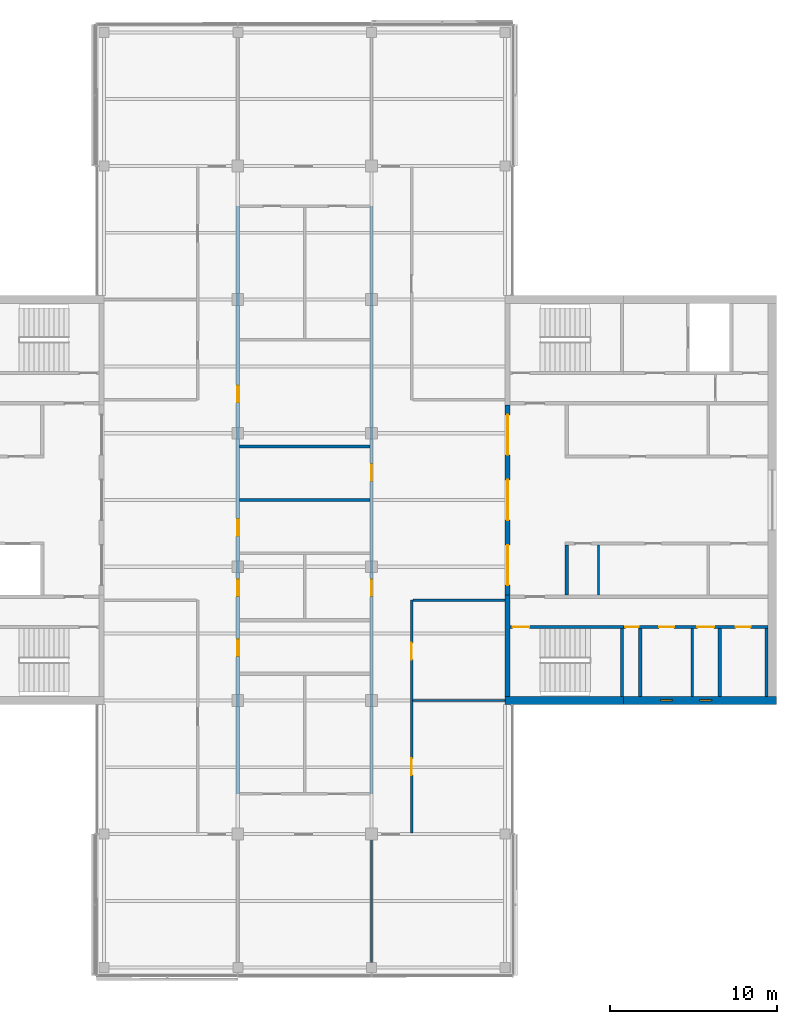
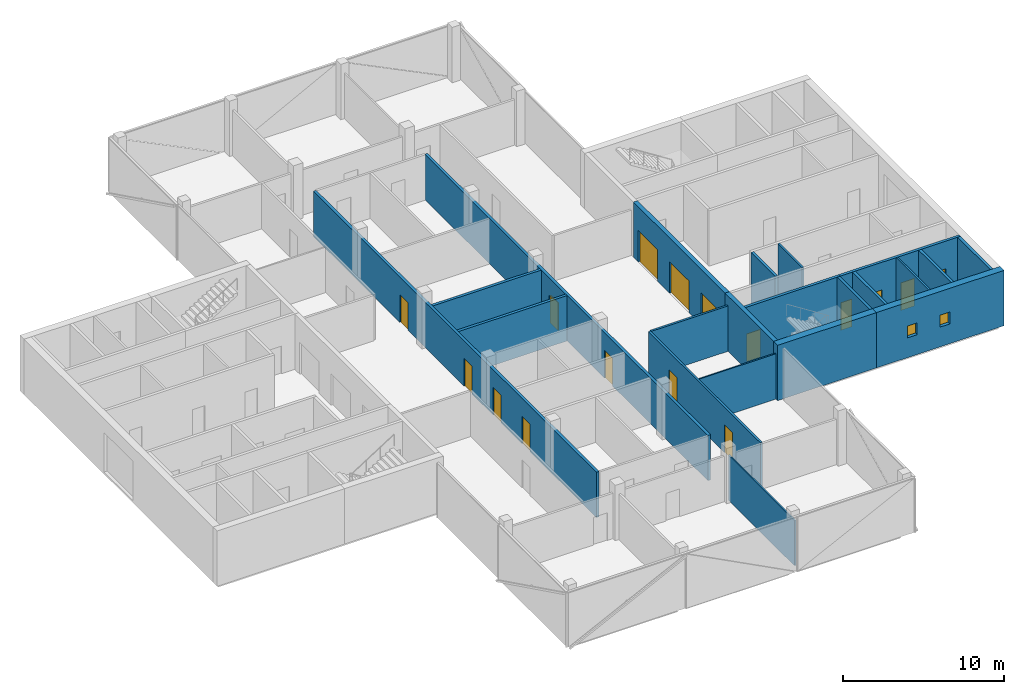
# One storey, part 10 of 16: 21 walls, 16 doors, 2 windows, 18 openings.
"""IFC4 building model written with IfcOpenShell, lengths in metres."""

import ifcopenshell
import ifcopenshell.guid

model = None  # the IFC model being written
_history = None  # IfcOwnerHistory: only IFC2X3 demands one
_inside = {}  # id of a spatial element -> (the spatial element, [elements in it])
_under = {}  # id of a project, library or spatial element -> (it, [spatial elements below it])
_declared = {}  # id of a project -> (the project, [libraries it declares])
_typed = {}  # id of a type object -> (the type object, [elements of that type])
_made_of = {}  # id of a material, layer set ... -> (it, [elements and type objects made of it])


def new_model(schema):
    """Start an empty IFC model of exactly this schema.

    Asked for "IFC4X3", IfcOpenShell would pick the latest addendum, in which some entities
    have other attributes; the version numbers below select the first issue.
    IFC2X3 requires an IfcOwnerHistory on every rooted entity: one is made here for all.
    """
    global model, _history
    if schema == "IFC4X3":
        model = ifcopenshell.file(schema_version=(4, 3, 0, 0))
    else:
        model = ifcopenshell.file(schema=schema)
    _inside.clear()
    _under.clear()
    _declared.clear()
    _typed.clear()
    _made_of.clear()
    _history = None
    if model.schema == "IFC2X3":
        org = make("IfcOrganization", Name="unknown")
        user = make(
            "IfcPersonAndOrganization",
            ThePerson=make("IfcPerson", FamilyName="unknown"),
            TheOrganization=org,
        )
        app = make(
            "IfcApplication",
            ApplicationDeveloper=org,
            Version="unknown",
            ApplicationFullName="unknown",
            ApplicationIdentifier="unknown",
        )
        _history = make(
            "IfcOwnerHistory",
            OwningUser=user,
            OwningApplication=app,
            ChangeAction="ADDED",
            CreationDate=0,
        )
    return model


def make(cls, **values):
    """One entity of the class cls with the attributes given. An attribute that is None is left unset."""
    return model.create_entity(
        cls, **{name: value for name, value in values.items() if value is not None}
    )


def rooted(cls, **values):
    """An entity with a GlobalId (a new one), such as an element, a storey or a relation."""
    return make(cls, GlobalId=ifcopenshell.guid.new(), OwnerHistory=_history, **values)


def si_unit(unit_type, name, prefix=None):
    """IfcSIUnit, for example si_unit("LENGTHUNIT", "METRE", prefix="MILLI")."""
    return make("IfcSIUnit", UnitType=unit_type, Prefix=prefix, Name=name)


def assignment(units):
    """IfcUnitAssignment: the units of a project."""
    return None if units is None else make("IfcUnitAssignment", Units=units)


def point(xyz):
    """IfcCartesianPoint."""
    return None if xyz is None else make("IfcCartesianPoint", Coordinates=xyz)


def direction(xyz):
    """IfcDirection."""
    return None if xyz is None else make("IfcDirection", DirectionRatios=xyz)


def frame(location, z_axis=None, x_axis=None):
    """IfcAxis2Placement3D, a coordinate frame: its origin and axes. An axis left out is left unset."""
    return make(
        "IfcAxis2Placement3D",
        Location=point(location),
        Axis=direction(z_axis),
        RefDirection=direction(x_axis),
    )


def frame_2d(location, x_axis=None):
    """IfcAxis2Placement2D, a coordinate frame in the plane: its origin and x axis."""
    return make(
        "IfcAxis2Placement2D", Location=point(location), RefDirection=direction(x_axis)
    )


def origin():
    """The frame at (0, 0, 0) with its axes left unset."""
    return frame((0.0, 0.0, 0.0))


def place(relative_to, where):
    """IfcLocalPlacement: puts the frame where relative to a parent placement (None: the world)."""
    return make(
        "IfcLocalPlacement", PlacementRelTo=relative_to, RelativePlacement=where
    )


def context(
    kind, dimensions, precision=None, world=None, true_north=None, identifier=None
):
    """IfcGeometricRepresentationContext, for example the 3D "Model" context."""
    return make(
        "IfcGeometricRepresentationContext",
        ContextIdentifier=identifier,
        ContextType=kind,
        CoordinateSpaceDimension=dimensions,
        Precision=precision,
        WorldCoordinateSystem=world,
        TrueNorth=true_north,
    )


def subcontext(parent, identifier, kind, view, scale=None):
    """IfcGeometricRepresentationSubContext, for example "Body" below "Model"."""
    return make(
        "IfcGeometricRepresentationSubContext",
        ContextIdentifier=identifier,
        ContextType=kind,
        ParentContext=parent,
        TargetScale=scale,
        TargetView=view,
    )


def project(units=None, contexts=None):
    """IfcProject with its units and contexts."""
    return rooted(
        "IfcProject",
        Name="project",
        RepresentationContexts=contexts,
        UnitsInContext=assignment(units),
    )


def spatial(cls, under=None, at=None, **own):
    """A site, building, storey or space (cls), placed at a placement, below another one or the project."""
    s = rooted(cls, ObjectPlacement=at, **own)
    if under is not None:
        _under.setdefault(under.id(), (under, []))[1].append(s)
    return s


def profile(cls, at=None, kind="AREA", **sizes):
    """A parametric profile (cls). Its sizes go by their IFC names, for example OverallWidth=200.0."""
    return make(cls, ProfileType=kind, Position=at, **sizes)


def rectangle(**sizes):
    """IfcRectangleProfileDef."""
    return profile("IfcRectangleProfileDef", **sizes)


def extrude(swept, where, along, depth):
    """IfcExtrudedAreaSolid: the profile swept, set in the frame where, extruded along a direction by depth."""
    return make(
        "IfcExtrudedAreaSolid",
        SweptArea=swept,
        Position=where,
        ExtrudedDirection=direction(along),
        Depth=depth,
    )


def shape(context_of_items, identifier, shape_type, items):
    """IfcShapeRepresentation: the items that make up one representation, for example the "Body"."""
    return make(
        "IfcShapeRepresentation",
        ContextOfItems=context_of_items,
        RepresentationIdentifier=identifier,
        RepresentationType=shape_type,
        Items=items,
    )


def material(Name=None, Category=None):
    """IfcMaterial."""
    return make("IfcMaterial", Name=Name, Category=Category)


def layer(
    of_material, thickness, ventilated=None, Name=None, Category=None, Priority=None
):
    """IfcMaterialLayer: one layer of a wall or slab, of a material (None: an air gap)."""
    return make(
        "IfcMaterialLayer",
        Material=of_material,
        LayerThickness=thickness,
        IsVentilated=ventilated,
        Name=Name,
        Category=Category,
        Priority=Priority,
    )


def layer_set(layers, Name=None):
    """IfcMaterialLayerSet."""
    return make("IfcMaterialLayerSet", MaterialLayers=layers, LayerSetName=Name)


def constituent(of_material, Name=None, Category=None, fraction=None):
    """IfcMaterialConstituent: one of the materials an element consists of."""
    return make(
        "IfcMaterialConstituent",
        Name=Name,
        Material=of_material,
        Fraction=fraction,
        Category=Category,
    )


def constituent_set(constituents=None, Name=None):
    """IfcMaterialConstituentSet."""
    return make(
        "IfcMaterialConstituentSet", Name=Name, MaterialConstituents=constituents
    )


def made_of(thing, what):
    """Note that an element or type object is made of a material, layer set ...; save() writes the relation."""
    if what is not None:
        _made_of.setdefault(what.id(), (what, []))[1].append(thing)
    return thing


def type_object(cls, material=None, **own):
    """A type object (cls), such as IfcWallType, which elements share."""
    return made_of(rooted(cls, **own), material)


def element(
    cls,
    number,
    at=None,
    inside=None,
    cuts=None,
    type_object=None,
    material=None,
    context=None,
    identifier="Body",
    shape_type=None,
    held_by="IfcProductDefinitionShape",
    body=None,
    shapes=None,
    **own,
):
    """One element of the class cls, such as IfcWall. Its Tag is "e" and its number.

    at: its placement. inside: the storey or other place that contains it. cuts: it is an
    opening in that element (IfcRelVoidsElement). A single representation is given by context,
    identifier, shape_type and body (its items); several are given by shapes. held_by: the class
    of the entity that holds the representations. save() writes the other relations.
    """
    e = rooted(cls, Tag="e%d" % number, ObjectPlacement=at, **own)
    if body is not None:
        shapes = [shape(context, identifier, shape_type, body)]
    if shapes is not None:
        e.Representation = make(held_by, Representations=shapes)
    if inside is not None:
        _inside.setdefault(inside.id(), (inside, []))[1].append(e)
    if cuts is not None:
        rooted(
            "IfcRelVoidsElement", RelatingBuildingElement=cuts, RelatedOpeningElement=e
        )
    if type_object is not None:
        _typed.setdefault(type_object.id(), (type_object, []))[1].append(e)
    return made_of(e, material)


def fill(opening, filler):
    """IfcRelFillsElement: the door or window that sits in an opening."""
    return rooted(
        "IfcRelFillsElement",
        RelatingOpeningElement=opening,
        RelatedBuildingElement=filler,
    )


def aggregate(whole, parts):
    """IfcRelAggregates: a whole, such as a stair, and the parts it consists of."""
    return rooted("IfcRelAggregates", RelatingObject=whole, RelatedObjects=parts)


def save(model, path):
    """Write the relations noted so far, then the file.

    IfcRelAggregates (storeys below a building ...), IfcRelContainedInSpatialStructure (elements
    in a storey), IfcRelDefinesByType, IfcRelAssociatesMaterial and IfcRelDeclares: one each for
    every whole, place, type object, material and project.
    """
    for whole, parts in _under.values():
        aggregate(whole, parts)
    for where, things in _inside.values():
        rooted(
            "IfcRelContainedInSpatialStructure",
            RelatedElements=things,
            RelatingStructure=where,
        )
    for kind, things in _typed.values():
        rooted("IfcRelDefinesByType", RelatedObjects=things, RelatingType=kind)
    for what, things in _made_of.values():
        rooted("IfcRelAssociatesMaterial", RelatedObjects=things, RelatingMaterial=what)
    for by, libraries in _declared.values():
        rooted("IfcRelDeclares", RelatingContext=by, RelatedDefinitions=libraries)
    model.write(path)


model = new_model("IFC4")

# Units and contexts
model_context = context("Model", 3, precision=1e-05, world=origin(), true_north=direction((0.0, 1.0)))
body_context = subcontext(model_context, "Body", "Model", "MODEL_VIEW")
ifc_project = project(units=[si_unit("LENGTHUNIT", "METRE"), si_unit("AREAUNIT", "SQUARE_METRE"), si_unit("VOLUMEUNIT", "CUBIC_METRE"), si_unit("PLANEANGLEUNIT", "RADIAN"), si_unit("MASSUNIT", "GRAM", prefix="KILO")], contexts=[model_context])

# Site, building, storey
site_placement = place(None, origin())
site = spatial("IfcSite", under=ifc_project, at=site_placement, CompositionType="ELEMENT")
building_placement = place(site_placement, origin())
building = spatial("IfcBuilding", under=site, at=building_placement, Name="Crosswind Convention Tower", CompositionType="ELEMENT")
storey_placement = place(building_placement, frame((0.0, 0.0, 249.300048828125)))
storey = spatial("IfcBuildingStorey", under=building, at=storey_placement, Name="L53", CompositionType="ELEMENT", Elevation=249.300048828125)

# Wall
ifc_material_1 = material(Name="Concrete blockwork", Category="masonry")
ifc_layer_1 = layer(ifc_material_1, 0.199951171875)
ifc_layer_set_1 = layer_set([ifc_layer_1], Name="Blockwork partition wall 200")
wall_type_1 = type_object("IfcWallType", Name="Blockwork partition wall 200", PredefinedType="PARTITIONING", material=ifc_layer_set_1)
wall_1_placement = place(storey_placement, frame((145.10009765625, 88.25, 0.0), z_axis=(0.0, 0.0, 1.0), x_axis=(0.0, 1.0, 0.0)))
element("IfcWall", 1, at=wall_1_placement, inside=storey, type_object=wall_type_1, Name="Wall MRSE E L53", PredefinedType="PARTITIONING", context=body_context, shape_type="SweptSolid", body=[
    extrude(rectangle(XDim=4.050048828125, YDim=0.199951171875, at=frame_2d((2.02490234375, 0.0))), origin(), (0.0, 0.0, 1.0), 4.199951171875),
])

# Wall, openings, doors
ifc_layer_2 = layer(ifc_material_1, 0.199951171875)
ifc_layer_set_2 = layer_set([ifc_layer_2], Name="COMPARTMENT WALL 200 BLOCKWORK")
wall_type_2 = type_object("IfcWallType", Name="COMPARTMENT WALL 200 BLOCKWORK", PredefinedType="SOLIDWALL", material=ifc_layer_set_2)
wall_2_placement = place(storey_placement, frame((121.0, 82.39990234375, 0.0), z_axis=(0.0, 0.0, 1.0), x_axis=(0.0, 1.0, 0.0)))
wall_2 = element("IfcWall", 2, at=wall_2_placement, inside=storey, type_object=wall_type_2, Name="Compartment wall WT42", PredefinedType="SOLIDWALL", context=body_context, shape_type="SweptSolid", body=[
    extrude(rectangle(XDim=35.2001953125, YDim=0.199951171875, at=frame_2d((17.60009765625, 0.0))), origin(), (0.0, 0.0, 1.0), 3.44287109375),
])
opening_1_placement = place(wall_2_placement, frame((8.25, 0.0, 0.0)))
opening_1 = element("IfcOpeningElement", 3, at=opening_1_placement, cuts=wall_2, Name="Opening L53-64", PredefinedType="OPENING", context=body_context, shape_type="SweptSolid", body=[
    extrude(rectangle(XDim=1.0, YDim=2.10009765625, at=frame_2d((0.5, 1.050048828125))), frame((0.0, 0.10986328125, 0.0), z_axis=(0.0, -1.0, 0.0), x_axis=(1.0, 0.0, 0.0)), (0.0, 0.0, 1.0), 0.219970703125),
])
opening_2_placement = place(wall_2_placement, frame((11.85009765625, 0.0, 0.0)))
opening_2 = element("IfcOpeningElement", 4, at=opening_2_placement, cuts=wall_2, Name="Opening L53-65", PredefinedType="OPENING", context=body_context, shape_type="SweptSolid", body=[
    extrude(rectangle(XDim=1.0, YDim=2.10009765625, at=frame_2d((0.5, 1.050048828125))), frame((0.0, 0.10986328125, 0.0), z_axis=(0.0, -1.0, 0.0), x_axis=(1.0, 0.0, 0.0)), (0.0, 0.0, 1.0), 0.219970703125),
])
opening_3_placement = place(wall_2_placement, frame((15.449951171875, 0.0, 0.0)))
opening_3 = element("IfcOpeningElement", 5, at=opening_3_placement, cuts=wall_2, Name="Opening L53-67", PredefinedType="OPENING", context=body_context, shape_type="SweptSolid", body=[
    extrude(rectangle(XDim=1.0, YDim=2.10009765625, at=frame_2d((0.5, 1.050048828125))), frame((0.0, 0.10986328125, 0.0), z_axis=(0.0, -1.0, 0.0), x_axis=(1.0, 0.0, 0.0)), (0.0, 0.0, 1.0), 0.219970703125),
])
opening_4_placement = place(wall_2_placement, frame((23.449951171875, 0.0, 0.0)))
opening_4 = element("IfcOpeningElement", 6, at=opening_4_placement, cuts=wall_2, Name="Opening L53-69", PredefinedType="OPENING", context=body_context, shape_type="SweptSolid", body=[
    extrude(rectangle(XDim=1.0, YDim=2.10009765625, at=frame_2d((0.5, 1.050048828125))), frame((0.0, 0.10986328125, 0.0), z_axis=(0.0, -1.0, 0.0), x_axis=(1.0, 0.0, 0.0)), (0.0, 0.0, 1.0), 0.219970703125),
])
ifc_material_2 = material(Name="Steel fire door", Category="steel")
door_type_1 = type_object("IfcDoorType", Name="PLANT ROOM DOOR 1000X2100 FD60", OperationType="NOTDEFINED", PredefinedType="DOOR", material=ifc_material_2)
door_1_placement = place(opening_1_placement, frame((1.0, 0.0, 0.0), z_axis=(0.0, 0.0, 1.0), x_axis=(-1.0, 0.0, 0.0)))
door_1 = element("IfcDoor", 7, at=door_1_placement, inside=storey, type_object=door_type_1, Name="Door L53-64", ObjectType="D43", OperationType="SINGLE_SWING_RIGHT", OverallHeight=2.10009765625, OverallWidth=1.0, PredefinedType="DOOR", context=body_context, shape_type="SweptSolid", body=[
    extrude(rectangle(XDim=1.0, YDim=2.10009765625, at=frame_2d((0.5, 1.050048828125))), frame((0.0, 0.02490234375, 0.0), z_axis=(0.0, -1.0, 0.0), x_axis=(1.0, 0.0, 0.0)), (0.0, 0.0, 1.0), 0.050048828125),
])
fill(opening_1, door_1)
ifc_material_3 = material(Name="Timber fire door", Category="wood")
door_type_2 = type_object("IfcDoorType", Name="TENANCY ENTRANCE DOOR 1000X2100 FD30S", OperationType="NOTDEFINED", PredefinedType="DOOR", material=ifc_material_3)
door_2_placement = place(opening_2_placement, frame((1.0, 0.0, 0.0), z_axis=(0.0, 0.0, 1.0), x_axis=(-1.0, 0.0, 0.0)))
door_2 = element("IfcDoor", 8, at=door_2_placement, inside=storey, type_object=door_type_2, Name="Door L53-65", ObjectType="D41", OperationType="SINGLE_SWING_LEFT", OverallHeight=2.10009765625, OverallWidth=1.0, PredefinedType="DOOR", context=body_context, shape_type="SweptSolid", body=[
    extrude(rectangle(XDim=1.0, YDim=2.10009765625, at=frame_2d((0.5, 1.050048828125))), frame((0.0, 0.02490234375, 0.0), z_axis=(0.0, -1.0, 0.0), x_axis=(1.0, 0.0, 0.0)), (0.0, 0.0, 1.0), 0.050048828125),
])
fill(opening_2, door_2)
door_3_placement = place(opening_3_placement, frame((1.0, 0.0, 0.0), z_axis=(0.0, 0.0, 1.0), x_axis=(-1.0, 0.0, 0.0)))
door_3 = element("IfcDoor", 9, at=door_3_placement, inside=storey, type_object=door_type_2, Name="Door L53-67", ObjectType="D41", OperationType="SINGLE_SWING_RIGHT", OverallHeight=2.10009765625, OverallWidth=1.0, PredefinedType="DOOR", context=body_context, shape_type="SweptSolid", body=[
    extrude(rectangle(XDim=1.0, YDim=2.10009765625, at=frame_2d((0.5, 1.050048828125))), frame((0.0, 0.02490234375, 0.0), z_axis=(0.0, -1.0, 0.0), x_axis=(1.0, 0.0, 0.0)), (0.0, 0.0, 1.0), 0.050048828125),
])
fill(opening_3, door_3)
door_4_placement = place(opening_4_placement, origin())
door_4 = element("IfcDoor", 10, at=door_4_placement, inside=storey, type_object=door_type_2, Name="Door L53-69", ObjectType="D41", OperationType="SINGLE_SWING_LEFT", OverallHeight=2.10009765625, OverallWidth=1.0, PredefinedType="DOOR", context=body_context, shape_type="SweptSolid", body=[
    extrude(rectangle(XDim=1.0, YDim=2.10009765625, at=frame_2d((0.5, 1.050048828125))), frame((0.0, 0.02490234375, 0.0), z_axis=(0.0, -1.0, 0.0), x_axis=(1.0, 0.0, 0.0)), (0.0, 0.0, 1.0), 0.050048828125),
])
fill(opening_4, door_4)

wall_3_placement = place(storey_placement, frame((129.0, 82.39990234375, 0.0), z_axis=(0.0, 0.0, 1.0), x_axis=(0.0, 1.0, 0.0)))
wall_3 = element("IfcWall", 11, at=wall_3_placement, inside=storey, type_object=wall_type_2, Name="Compartment wall WT42", PredefinedType="SOLIDWALL", context=body_context, shape_type="SweptSolid", body=[
    extrude(rectangle(XDim=35.2001953125, YDim=0.199951171875, at=frame_2d((17.60009765625, 0.0))), origin(), (0.0, 0.0, 1.0), 3.44287109375),
])
opening_5_placement = place(wall_3_placement, frame((11.85009765625, 0.0, 0.0)))
opening_5 = element("IfcOpeningElement", 12, at=opening_5_placement, cuts=wall_3, Name="Opening L53-66", PredefinedType="OPENING", context=body_context, shape_type="SweptSolid", body=[
    extrude(rectangle(XDim=1.0, YDim=2.10009765625, at=frame_2d((0.5, 1.050048828125))), frame((0.0, 0.10986328125, 0.0), z_axis=(0.0, -1.0, 0.0), x_axis=(1.0, 0.0, 0.0)), (0.0, 0.0, 1.0), 0.219970703125),
])
opening_6_placement = place(wall_3_placement, frame((18.75, 0.0, 0.0)))
opening_6 = element("IfcOpeningElement", 13, at=opening_6_placement, cuts=wall_3, Name="Opening L53-68", PredefinedType="OPENING", context=body_context, shape_type="SweptSolid", body=[
    extrude(rectangle(XDim=1.0, YDim=2.10009765625, at=frame_2d((0.5, 1.050048828125))), frame((0.0, 0.10986328125, 0.0), z_axis=(0.0, -1.0, 0.0), x_axis=(1.0, 0.0, 0.0)), (0.0, 0.0, 1.0), 0.219970703125),
])
door_5_placement = place(opening_6_placement, origin())
door_5 = element("IfcDoor", 14, at=door_5_placement, inside=storey, type_object=door_type_1, Name="Door L53-68", ObjectType="D43", OperationType="SINGLE_SWING_RIGHT", OverallHeight=2.10009765625, OverallWidth=1.0, PredefinedType="DOOR", context=body_context, shape_type="SweptSolid", body=[
    extrude(rectangle(XDim=1.0, YDim=2.10009765625, at=frame_2d((0.5, 1.050048828125))), frame((0.0, 0.02490234375, 0.0), z_axis=(0.0, -1.0, 0.0), x_axis=(1.0, 0.0, 0.0)), (0.0, 0.0, 1.0), 0.050048828125),
])
fill(opening_6, door_5)
door_6_placement = place(opening_5_placement, origin())
door_6 = element("IfcDoor", 15, at=door_6_placement, inside=storey, type_object=door_type_2, Name="Door L53-66", ObjectType="D41", OperationType="SINGLE_SWING_RIGHT", OverallHeight=2.10009765625, OverallWidth=1.0, PredefinedType="DOOR", context=body_context, shape_type="SweptSolid", body=[
    extrude(rectangle(XDim=1.0, YDim=2.10009765625, at=frame_2d((0.5, 1.050048828125))), frame((0.0, 0.02490234375, 0.0), z_axis=(0.0, -1.0, 0.0), x_axis=(1.0, 0.0, 0.0)), (0.0, 0.0, 1.0), 0.050048828125),
])
fill(opening_5, door_6)

# Walls
for number, where, z_axis, x_axis, name in (
    (16, (121.10009765625, 100.0, 0.0), (0.0, 0.0, 1.0), (1.0, 0.0, 0.0), "Compartment wall WT42"),
    (17, (121.10009765625, 103.199951171875, 0.0), (0.0, 0.0, 1.0), (1.0, 0.0, 0.0), "Compartment wall WT42"),
):
    element("IfcWall", number, at=place(storey_placement, frame(where, z_axis=z_axis, x_axis=x_axis)), inside=storey, type_object=wall_type_2, Name=name, PredefinedType="SOLIDWALL", context=body_context, shape_type="SweptSolid", body=[
        extrude(rectangle(XDim=7.7998046875, YDim=0.199951171875, at=frame_2d((3.89990234375, 0.0))), origin(), (0.0, 0.0, 1.0), 3.44287109375),
    ])

# Wall, openings, doors
ifc_material_4 = material(Name="Concrete C50/60", Category="concrete")
ifc_layer_3 = layer(ifc_material_4, 0.300048828125)
ifc_layer_set_3 = layer_set([ifc_layer_3], Name="Concrete C50/60")
wall_type_3 = type_object("IfcWallType", Name="Concrete inner core wall 300", PredefinedType="SHEAR", material=ifc_layer_set_3)
wall_4_placement = place(storey_placement, frame((137.14990234375, 94.300048828125, 0.0), z_axis=(0.0, 0.0, 1.0), x_axis=(0.0, 1.0, 0.0)))
wall_4 = element("IfcWall", 18, at=wall_4_placement, inside=storey, type_object=wall_type_3, Name="Wall SCR E L53", PredefinedType="SHEAR", context=body_context, shape_type="SweptSolid", body=[
    extrude(rectangle(XDim=11.39990234375, YDim=0.300048828125, at=frame_2d((5.699951171875, 0.0))), origin(), (0.0, 0.0, 1.0), 4.199951171875),
])
opening_7_placement = place(wall_4_placement, frame((0.60009765625, 0.0, 0.0)))
opening_7 = element("IfcOpeningElement", 19, at=opening_7_placement, cuts=wall_4, Name="Opening D100", PredefinedType="OPENING", context=body_context, shape_type="SweptSolid", body=[
    extrude(rectangle(XDim=2.39990234375, YDim=2.39990234375, at=frame_2d((1.199951171875, 1.199951171875))), frame((0.0, 0.159912109375, 0.0), z_axis=(0.0, -1.0, 0.0), x_axis=(1.0, 0.0, 0.0)), (0.0, 0.0, 1.0), 0.320068359375),
])
opening_8_placement = place(wall_4_placement, frame((4.5, 0.0, 0.0)))
opening_8 = element("IfcOpeningElement", 20, at=opening_8_placement, cuts=wall_4, Name="Opening D100", PredefinedType="OPENING", context=body_context, shape_type="SweptSolid", body=[
    extrude(rectangle(XDim=2.39990234375, YDim=2.39990234375, at=frame_2d((1.199951171875, 1.199951171875))), frame((0.0, 0.159912109375, 0.0), z_axis=(0.0, -1.0, 0.0), x_axis=(1.0, 0.0, 0.0)), (0.0, 0.0, 1.0), 0.320068359375),
])
opening_9_placement = place(wall_4_placement, frame((8.39990234375, 0.0, 0.0)))
opening_9 = element("IfcOpeningElement", 21, at=opening_9_placement, cuts=wall_4, Name="Opening D100", PredefinedType="OPENING", context=body_context, shape_type="SweptSolid", body=[
    extrude(rectangle(XDim=2.39990234375, YDim=2.39990234375, at=frame_2d((1.199951171875, 1.199951171875))), frame((0.0, 0.159912109375, 0.0), z_axis=(0.0, -1.0, 0.0), x_axis=(1.0, 0.0, 0.0)), (0.0, 0.0, 1.0), 0.320068359375),
])
ifc_material_5 = material(Name="Steel fire door with glazed vision panels", Category="steel")
door_type_3 = type_object("IfcDoorType", Name="Fire-rated double door 2400x2400", OperationType="DOUBLE_DOOR_SINGLE_SWING", PredefinedType="DOOR", material=ifc_material_5)
door_7_placement = place(opening_7_placement, origin())
door_7 = element("IfcDoor", 22, at=door_7_placement, inside=storey, type_object=door_type_3, Name="Lobby door 1 L53", ObjectType="D100", OperationType="DOUBLE_DOOR_SINGLE_SWING", OverallHeight=2.39990234375, OverallWidth=2.39990234375, PredefinedType="DOOR", context=body_context, shape_type="SweptSolid", body=[
    extrude(rectangle(XDim=2.39990234375, YDim=2.39990234375, at=frame_2d((1.199951171875, 1.199951171875))), frame((0.0, 0.02490234375, 0.0), z_axis=(0.0, -1.0, 0.0), x_axis=(1.0, 0.0, 0.0)), (0.0, 0.0, 1.0), 0.050048828125),
])
fill(opening_7, door_7)
door_8_placement = place(opening_8_placement, origin())
door_8 = element("IfcDoor", 23, at=door_8_placement, inside=storey, type_object=door_type_3, Name="Lobby door 2 L53", ObjectType="D100", OperationType="DOUBLE_DOOR_SINGLE_SWING", OverallHeight=2.39990234375, OverallWidth=2.39990234375, PredefinedType="DOOR", context=body_context, shape_type="SweptSolid", body=[
    extrude(rectangle(XDim=2.39990234375, YDim=2.39990234375, at=frame_2d((1.199951171875, 1.199951171875))), frame((0.0, 0.02490234375, 0.0), z_axis=(0.0, -1.0, 0.0), x_axis=(1.0, 0.0, 0.0)), (0.0, 0.0, 1.0), 0.050048828125),
])
fill(opening_8, door_8)
door_9_placement = place(opening_9_placement, origin())
door_9 = element("IfcDoor", 24, at=door_9_placement, inside=storey, type_object=door_type_3, Name="Lobby door 3 L53", ObjectType="D100", OperationType="DOUBLE_DOOR_SINGLE_SWING", OverallHeight=2.39990234375, OverallWidth=2.39990234375, PredefinedType="DOOR", context=body_context, shape_type="SweptSolid", body=[
    extrude(rectangle(XDim=2.39990234375, YDim=2.39990234375, at=frame_2d((1.199951171875, 1.199951171875))), frame((0.0, 0.02490234375, 0.0), z_axis=(0.0, -1.0, 0.0), x_axis=(1.0, 0.0, 0.0)), (0.0, 0.0, 1.0), 0.050048828125),
])
fill(opening_9, door_9)

# Walls
wall_5_placement = place(storey_placement, frame((137.14990234375, 88.25, 0.0), z_axis=(0.0, 0.0, 1.0), x_axis=(0.0, 1.0, 0.0)))
element("IfcWall", 25, at=wall_5_placement, inside=storey, type_object=wall_type_3, Name="Wall EM E L53", PredefinedType="SHEAR", context=body_context, shape_type="SweptSolid", body=[
    extrude(rectangle(XDim=6.050048828125, YDim=0.300048828125, at=frame_2d((3.02490234375, 0.0))), origin(), (0.0, 0.0, 1.0), 4.199951171875),
])
ifc_layer_4 = layer(ifc_material_4, 0.199951171875)
ifc_layer_set_4 = layer_set([ifc_layer_4], Name="Concrete C50/60")
wall_type_4 = type_object("IfcWallType", Name="Concrete shaft and stair wall 200", PredefinedType="SHEAR", material=ifc_layer_set_4)
wall_6_placement = place(storey_placement, frame((140.699951171875, 94.300048828125, 0.0), z_axis=(0.0, 0.0, 1.0), x_axis=(0.0, 1.0, 0.0)))
element("IfcWall", 26, at=wall_6_placement, inside=storey, type_object=wall_type_4, Name="Wall RMEND E L53", PredefinedType="SHEAR", context=body_context, shape_type="SweptSolid", body=[
    extrude(rectangle(XDim=3.0, YDim=0.199951171875, at=frame_2d((1.5, 0.0))), origin(), (0.0, 0.0, 1.0), 4.199951171875),
])
for number, where, z_axis, x_axis, name in (
    (27, (144.0, 88.25, 0.0), (0.0, 0.0, 1.0), (0.0, 1.0, 0.0), "Wall MSE E L53"),
    (28, (149.85009765625, 88.25, 0.0), (0.0, 0.0, 1.0), (0.0, 1.0, 0.0), "Wall MFSW E L53"),
    (29, (152.64990234375, 88.25, 0.0), (0.0, 0.0, 1.0), (0.0, 1.0, 0.0), "Wall MFSE E L53"),
):
    element("IfcWall", number, at=place(storey_placement, frame(where, z_axis=z_axis, x_axis=x_axis)), inside=storey, type_object=wall_type_4, Name=name, PredefinedType="SHEAR", context=body_context, shape_type="SweptSolid", body=[
        extrude(rectangle(XDim=4.050048828125, YDim=0.199951171875, at=frame_2d((2.02490234375, 0.0))), origin(), (0.0, 0.0, 1.0), 4.199951171875),
    ])

# Wall, opening, door
wall_7_placement = place(storey_placement, frame((137.300048828125, 92.39990234375, 0.0), z_axis=(0.0, 0.0, 1.0), x_axis=(1.0, 0.0, 0.0)))
wall_7 = element("IfcWall", 30, at=wall_7_placement, inside=storey, type_object=wall_type_4, Name="Wall MCW E L53", PredefinedType="SHEAR", context=body_context, shape_type="SweptSolid", body=[
    extrude(rectangle(XDim=6.800048828125, YDim=0.199951171875, at=frame_2d((3.39990234375, 0.0))), origin(), (0.0, 0.0, 1.0), 4.199951171875),
])
opening_10_placement = place(wall_7_placement, frame((0.14990234375, 0.0, 0.0)))
opening_10 = element("IfcOpeningElement", 31, at=opening_10_placement, cuts=wall_7, Name="Opening D103", PredefinedType="OPENING", context=body_context, shape_type="SweptSolid", body=[
    extrude(rectangle(XDim=1.0, YDim=2.10009765625, at=frame_2d((0.5, 1.050048828125))), frame((0.0, 0.10986328125, 0.0), z_axis=(0.0, -1.0, 0.0), x_axis=(1.0, 0.0, 0.0)), (0.0, 0.0, 1.0), 0.219970703125),
])
door_type_4 = type_object("IfcDoorType", Name="Fire-rated single door 1000x2100", OperationType="NOTDEFINED", PredefinedType="DOOR", material=ifc_material_2)
door_10_placement = place(opening_10_placement, frame((1.0, 0.0, 0.0), z_axis=(0.0, 0.0, 1.0), x_axis=(-1.0, 0.0, 0.0)))
door_10 = element("IfcDoor", 32, at=door_10_placement, inside=storey, type_object=door_type_4, Name="Stair ST2 door L53", ObjectType="D103", OperationType="SINGLE_SWING_RIGHT", OverallHeight=2.10009765625, OverallWidth=1.0, PredefinedType="DOOR", context=body_context, shape_type="SweptSolid", body=[
    extrude(rectangle(XDim=1.0, YDim=2.10009765625, at=frame_2d((0.5, 1.050048828125))), frame((0.0, 0.02490234375, 0.0), z_axis=(0.0, -1.0, 0.0), x_axis=(1.0, 0.0, 0.0)), (0.0, 0.0, 1.0), 0.050048828125),
])
fill(opening_10, door_10)

# Wall, openings, doors
wall_8_placement = place(storey_placement, frame((144.10009765625, 92.39990234375, 0.0), z_axis=(0.0, 0.0, 1.0), x_axis=(1.0, 0.0, 0.0)))
wall_8 = element("IfcWall", 33, at=wall_8_placement, inside=storey, type_object=wall_type_4, Name="Wall MCX E L53", PredefinedType="SHEAR", context=body_context, shape_type="SweptSolid", body=[
    extrude(rectangle(XDim=8.64990234375, YDim=0.199951171875, at=frame_2d((4.324951171875, 0.0))), origin(), (0.0, 0.0, 1.0), 4.199951171875),
])
opening_11_placement = place(wall_8_placement, frame((0.10009765625, 0.0, 0.0)))
opening_11 = element("IfcOpeningElement", 34, at=opening_11_placement, cuts=wall_8, Name="Opening D105", PredefinedType="OPENING", context=body_context, shape_type="SweptSolid", body=[
    extrude(rectangle(XDim=0.800048828125, YDim=2.10009765625, at=frame_2d((0.39990234375, 1.050048828125))), frame((0.0, 0.10986328125, 0.0), z_axis=(0.0, -1.0, 0.0), x_axis=(1.0, 0.0, 0.0)), (0.0, 0.0, 1.0), 0.219970703125),
])
opening_12_placement = place(wall_8_placement, frame((2.120361328125, 0.0, 0.0)))
opening_12 = element("IfcOpeningElement", 35, at=opening_12_placement, cuts=wall_8, Name="Opening D106", PredefinedType="OPENING", context=body_context, shape_type="SweptSolid", body=[
    extrude(rectangle(XDim=0.89990234375, YDim=2.10009765625, at=frame_2d((0.449951171875, 1.050048828125))), frame((0.0, 0.10986328125, 0.0), z_axis=(0.0, -1.0, 0.0), x_axis=(1.0, 0.0, 0.0)), (0.0, 0.0, 1.0), 0.219970703125),
])
opening_13_placement = place(wall_8_placement, frame((4.40771484375, 0.0, 0.0)))
opening_13 = element("IfcOpeningElement", 36, at=opening_13_placement, cuts=wall_8, Name="Opening D103", PredefinedType="OPENING", context=body_context, shape_type="SweptSolid", body=[
    extrude(rectangle(XDim=1.0, YDim=2.10009765625, at=frame_2d((0.5, 1.050048828125))), frame((0.0, 0.10986328125, 0.0), z_axis=(0.0, -1.0, 0.0), x_axis=(1.0, 0.0, 0.0)), (0.0, 0.0, 1.0), 0.219970703125),
])
opening_14_placement = place(wall_8_placement, frame((6.699951171875, 0.0, 0.0)))
opening_14 = element("IfcOpeningElement", 37, at=opening_14_placement, cuts=wall_8, Name="Opening D106", PredefinedType="OPENING", context=body_context, shape_type="SweptSolid", body=[
    extrude(rectangle(XDim=0.89990234375, YDim=2.10009765625, at=frame_2d((0.449951171875, 1.050048828125))), frame((0.0, 0.10986328125, 0.0), z_axis=(0.0, -1.0, 0.0), x_axis=(1.0, 0.0, 0.0)), (0.0, 0.0, 1.0), 0.219970703125),
])
door_11_placement = place(opening_13_placement, frame((1.0, 0.0, 0.0), z_axis=(0.0, 0.0, 1.0), x_axis=(-1.0, 0.0, 0.0)))
door_11 = element("IfcDoor", 38, at=door_11_placement, inside=storey, type_object=door_type_4, Name="Door to accessible wc L53", ObjectType="D103", OperationType="SINGLE_SWING_LEFT", OverallHeight=2.10009765625, OverallWidth=1.0, PredefinedType="DOOR", context=body_context, shape_type="SweptSolid", body=[
    extrude(rectangle(XDim=1.0, YDim=2.10009765625, at=frame_2d((0.5, 1.050048828125))), frame((0.0, 0.02490234375, 0.0), z_axis=(0.0, -1.0, 0.0), x_axis=(1.0, 0.0, 0.0)), (0.0, 0.0, 1.0), 0.050048828125),
])
fill(opening_13, door_11)
door_type_5 = type_object("IfcDoorType", Name="Riser access door 800x2100", OperationType="NOTDEFINED", PredefinedType="DOOR", material=ifc_material_2)
door_12_placement = place(opening_11_placement, frame((0.800048828125, 0.0, 0.0), z_axis=(0.0, 0.0, 1.0), x_axis=(-1.0, 0.0, 0.0)))
door_12 = element("IfcDoor", 39, at=door_12_placement, inside=storey, type_object=door_type_5, Name="Riser door L53", ObjectType="D105", OperationType="SINGLE_SWING_LEFT", OverallHeight=2.10009765625, OverallWidth=0.800048828125, PredefinedType="DOOR", context=body_context, shape_type="SweptSolid", body=[
    extrude(rectangle(XDim=0.800048828125, YDim=2.10009765625, at=frame_2d((0.39990234375, 1.050048828125))), frame((0.0, 0.02490234375, 0.0), z_axis=(0.0, -1.0, 0.0), x_axis=(1.0, 0.0, 0.0)), (0.0, 0.0, 1.0), 0.050048828125),
])
fill(opening_11, door_12)
ifc_material_6 = material(Name="Timber door", Category="wood")
door_type_6 = type_object("IfcDoorType", Name="Single leaf door 900x2100", OperationType="NOTDEFINED", PredefinedType="DOOR", material=ifc_material_6)
door_13_placement = place(opening_12_placement, frame((0.89990234375, 0.0, 0.0), z_axis=(0.0, 0.0, 1.0), x_axis=(-1.0, 0.0, 0.0)))
door_13 = element("IfcDoor", 40, at=door_13_placement, inside=storey, type_object=door_type_6, Name="Door to wc L53", ObjectType="D106", OperationType="SINGLE_SWING_LEFT", OverallHeight=2.10009765625, OverallWidth=0.89990234375, PredefinedType="DOOR", context=body_context, shape_type="SweptSolid", body=[
    extrude(rectangle(XDim=0.89990234375, YDim=2.10009765625, at=frame_2d((0.449951171875, 1.050048828125))), frame((0.0, 0.02490234375, 0.0), z_axis=(0.0, -1.0, 0.0), x_axis=(1.0, 0.0, 0.0)), (0.0, 0.0, 1.0), 0.050048828125),
])
fill(opening_12, door_13)
door_14_placement = place(opening_14_placement, frame((0.89990234375, 0.0, 0.0), z_axis=(0.0, 0.0, 1.0), x_axis=(-1.0, 0.0, 0.0)))
door_14 = element("IfcDoor", 41, at=door_14_placement, inside=storey, type_object=door_type_6, Name="Door to accessible wc L53", ObjectType="D106", OperationType="SINGLE_SWING_LEFT", OverallHeight=2.10009765625, OverallWidth=0.89990234375, PredefinedType="DOOR", context=body_context, shape_type="SweptSolid", body=[
    extrude(rectangle(XDim=0.89990234375, YDim=2.10009765625, at=frame_2d((0.449951171875, 1.050048828125))), frame((0.0, 0.02490234375, 0.0), z_axis=(0.0, -1.0, 0.0), x_axis=(1.0, 0.0, 0.0)), (0.0, 0.0, 1.0), 0.050048828125),
])
fill(opening_14, door_14)

# Walls
ifc_material_7 = material(Name="Gypsum plasterboard partition", Category="gypsum")
ifc_layer_5 = layer(ifc_material_7, 0.125)
ifc_layer_set_5 = layer_set([ifc_layer_5], Name="Drywall partition wall 125")
wall_type_5 = type_object("IfcWallType", Name="Drywall partition wall 125", PredefinedType="PARTITIONING", material=ifc_layer_set_5)
wall_9_placement = place(storey_placement, frame((142.592529296875, 94.300048828125, 0.0), z_axis=(0.0, 0.0, 1.0), x_axis=(0.0, 1.0, 0.0)))
element("IfcWall", 42, at=wall_9_placement, inside=storey, type_object=wall_type_5, Name="Wall RMP1 E L53", PredefinedType="PARTITIONING", context=body_context, shape_type="SweptSolid", body=[
    extrude(rectangle(XDim=3.0, YDim=0.125, at=frame_2d((1.5, 0.0))), origin(), (0.0, 0.0, 1.0), 4.199951171875),
])
wall_10_placement = place(storey_placement, frame((148.202880859375, 88.25, 0.0), z_axis=(0.0, 0.0, 1.0), x_axis=(0.0, 1.0, 0.0)))
element("IfcWall", 43, at=wall_10_placement, inside=storey, type_object=wall_type_5, Name="Wall MWP1 E L53", PredefinedType="PARTITIONING", context=body_context, shape_type="SweptSolid", body=[
    extrude(rectangle(XDim=4.050048828125, YDim=0.125, at=frame_2d((2.02490234375, 0.0))), origin(), (0.0, 0.0, 1.0), 4.199951171875),
])
ifc_material_8 = material(Name="Plasterboard partition", Category="gypsum")
ifc_layer_6 = layer(ifc_material_8, 0.10009765625)
ifc_layer_set_6 = layer_set([ifc_layer_6], Name="PARTITION 100 METAL STUD")
wall_type_6 = type_object("IfcWallType", Name="PARTITION 100 METAL STUD", PredefinedType="PARTITIONING", material=ifc_layer_set_6)
wall_11_placement = place(storey_placement, frame((129.0, 71.72998046875, 0.0), z_axis=(0.0, 0.0, 1.0), x_axis=(0.0, 1.0, 0.0)))
element("IfcWall", 44, at=wall_11_placement, inside=storey, type_object=wall_type_6, Name="Partition wall WT40", PredefinedType="PARTITIONING", context=body_context, shape_type="SweptSolid", body=[
    extrude(rectangle(XDim=8.195068359375, YDim=0.10009765625, at=frame_2d((4.09765625, 0.0))), origin(), (0.0, 0.0, 1.0), 3.44287109375),
])
wall_12_placement = place(storey_placement, frame((131.47509765625, 88.0, 0.0), z_axis=(0.0, 0.0, 1.0), x_axis=(1.0, 0.0, 0.0)))
element("IfcWall", 45, at=wall_12_placement, inside=storey, type_object=wall_type_6, Name="Partition wall WT40", PredefinedType="PARTITIONING", context=body_context, shape_type="SweptSolid", body=[
    extrude(rectangle(XDim=5.52490234375, YDim=0.10009765625, at=frame_2d((2.762451171875, 0.0))), origin(), (0.0, 0.0, 1.0), 3.44287109375),
])

# Wall, openings, doors
ifc_material_9 = material(Name="Fire-board partition with mineral wool", Category="gypsum")
ifc_layer_7 = layer(ifc_material_9, 0.14990234375)
ifc_layer_set_7 = layer_set([ifc_layer_7], Name="TENANCY WALL 150 TWO-HOUR BOARD")
wall_type_7 = type_object("IfcWallType", Name="TENANCY WALL 150 TWO-HOUR BOARD", PredefinedType="PARTITIONING", material=ifc_layer_set_7)
wall_13_placement = place(storey_placement, frame((131.39990234375, 80.074951171875, 0.0), z_axis=(0.0, 0.0, 1.0), x_axis=(0.0, 1.0, 0.0)))
wall_13 = element("IfcWall", 46, at=wall_13_placement, inside=storey, type_object=wall_type_7, Name="Tenancy wall WT41", PredefinedType="PARTITIONING", context=body_context, shape_type="SweptSolid", body=[
    extrude(rectangle(XDim=13.925048828125, YDim=0.14990234375, at=frame_2d((6.96240234375, 0.0))), origin(), (0.0, 0.0, 1.0), 3.44287109375),
])
opening_15_placement = place(wall_13_placement, frame((10.375, 0.0, 0.0)))
opening_15 = element("IfcOpeningElement", 47, at=opening_15_placement, cuts=wall_13, Name="Opening L53-51", PredefinedType="OPENING", context=body_context, shape_type="SweptSolid", body=[
    extrude(rectangle(XDim=1.0, YDim=2.10009765625, at=frame_2d((0.5, 1.050048828125))), frame((0.0, 0.0849609375, 0.0), z_axis=(0.0, -1.0, 0.0), x_axis=(1.0, 0.0, 0.0)), (0.0, 0.0, 1.0), 0.169921875),
])
opening_16_placement = place(wall_13_placement, frame((3.449951171875, 0.0, 0.0)))
opening_16 = element("IfcOpeningElement", 48, at=opening_16_placement, cuts=wall_13, Name="Opening L53-52", PredefinedType="OPENING", context=body_context, shape_type="SweptSolid", body=[
    extrude(rectangle(XDim=1.0, YDim=2.10009765625, at=frame_2d((0.5, 1.050048828125))), frame((0.0, 0.0849609375, 0.0), z_axis=(0.0, -1.0, 0.0), x_axis=(1.0, 0.0, 0.0)), (0.0, 0.0, 1.0), 0.169921875),
])
door_15_placement = place(opening_15_placement, frame((1.0, 0.0, 0.0), z_axis=(0.0, 0.0, 1.0), x_axis=(-1.0, 0.0, 0.0)))
door_15 = element("IfcDoor", 49, at=door_15_placement, inside=storey, type_object=door_type_2, Name="Door L53-51", ObjectType="D41", OperationType="SINGLE_SWING_RIGHT", OverallHeight=2.10009765625, OverallWidth=1.0, PredefinedType="DOOR", context=body_context, shape_type="SweptSolid", body=[
    extrude(rectangle(XDim=1.0, YDim=2.10009765625, at=frame_2d((0.5, 1.050048828125))), frame((0.0, 0.02490234375, 0.0), z_axis=(0.0, -1.0, 0.0), x_axis=(1.0, 0.0, 0.0)), (0.0, 0.0, 1.0), 0.050048828125),
])
fill(opening_15, door_15)
door_16_placement = place(opening_16_placement, frame((1.0, 0.0, 0.0), z_axis=(0.0, 0.0, 1.0), x_axis=(-1.0, 0.0, 0.0)))
door_16 = element("IfcDoor", 50, at=door_16_placement, inside=storey, type_object=door_type_2, Name="Door L53-52", ObjectType="D41", OperationType="SINGLE_SWING_LEFT", OverallHeight=2.10009765625, OverallWidth=1.0, PredefinedType="DOOR", context=body_context, shape_type="SweptSolid", body=[
    extrude(rectangle(XDim=1.0, YDim=2.10009765625, at=frame_2d((0.5, 1.050048828125))), frame((0.0, 0.02490234375, 0.0), z_axis=(0.0, -1.0, 0.0), x_axis=(1.0, 0.0, 0.0)), (0.0, 0.0, 1.0), 0.050048828125),
])
fill(opening_16, door_16)

# Walls
wall_14_placement = place(storey_placement, frame((131.47509765625, 94.0, 0.0), z_axis=(0.0, 0.0, 1.0), x_axis=(1.0, 0.0, 0.0)))
element("IfcWall", 51, at=wall_14_placement, inside=storey, type_object=wall_type_7, Name="Tenancy wall WT41", PredefinedType="PARTITIONING", context=body_context, shape_type="SweptSolid", body=[
    extrude(rectangle(XDim=5.52490234375, YDim=0.14990234375, at=frame_2d((2.762451171875, 0.0))), origin(), (0.0, 0.0, 1.0), 3.44287109375),
])
ifc_material_10 = material(Name="Concrete C60/75", Category="concrete")
ifc_constituent_1 = constituent(ifc_material_10, Name="Structure")
ifc_material_11 = material(Name="Terracotta rainscreen", Category="ceramic")
ifc_constituent_2 = constituent(ifc_material_11, Name="Facing")
ifc_constituent_set = constituent_set(constituents=[ifc_constituent_1, ifc_constituent_2], Name="Concrete C60/75, Terracotta rainscreen")
wall_type_8 = type_object("IfcWallType", Name="Terracotta rainscreen on concrete core wall 500", PredefinedType="SHEAR", material=ifc_constituent_set)
wall_15_placement = place(storey_placement, frame((137.0, 88.0, 0.0), z_axis=(0.0, 0.0, 1.0), x_axis=(1.0, 0.0, 0.0)))
element("IfcWall", 52, at=wall_15_placement, inside=storey, type_object=wall_type_8, Name="Wall S1 E L53", PredefinedType="SHEAR", context=body_context, shape_type="SweptSolid", body=[
    extrude(rectangle(XDim=7.10009765625, YDim=0.5, at=frame_2d((3.550048828125, 0.0))), origin(), (0.0, 0.0, 1.0), 4.199951171875),
])

# Wall, openings, windows
wall_16_placement = place(storey_placement, frame((144.10009765625, 88.0, 0.0), z_axis=(0.0, 0.0, 1.0), x_axis=(1.0, 0.0, 0.0)))
wall_16 = element("IfcWall", 53, at=wall_16_placement, inside=storey, type_object=wall_type_8, Name="Wall S2 E L53", PredefinedType="SHEAR", context=body_context, shape_type="SweptSolid", body=[
    extrude(rectangle(XDim=9.14990234375, YDim=0.5, at=frame_2d((4.574951171875, 0.0))), origin(), (0.0, 0.0, 1.0), 4.199951171875),
])
opening_17_placement = place(wall_16_placement, frame((2.22021484375, 0.0, 1.5)))
opening_17 = element("IfcOpeningElement", 54, at=opening_17_placement, cuts=wall_16, Name="Opening W2", PredefinedType="OPENING", context=body_context, shape_type="SweptSolid", body=[
    extrude(rectangle(XDim=0.699951171875, YDim=0.89990234375, at=frame_2d((0.35009765625, 0.449951171875))), frame((0.0, 0.260009765625, 0.0), z_axis=(0.0, -1.0, 0.0), x_axis=(1.0, 0.0, 0.0)), (0.0, 0.0, 1.0), 0.52001953125),
])
opening_18_placement = place(wall_16_placement, frame((4.557861328125, 0.0, 1.5)))
opening_18 = element("IfcOpeningElement", 55, at=opening_18_placement, cuts=wall_16, Name="Opening W2", PredefinedType="OPENING", context=body_context, shape_type="SweptSolid", body=[
    extrude(rectangle(XDim=0.699951171875, YDim=0.89990234375, at=frame_2d((0.35009765625, 0.449951171875))), frame((0.0, 0.260009765625, 0.0), z_axis=(0.0, -1.0, 0.0), x_axis=(1.0, 0.0, 0.0)), (0.0, 0.0, 1.0), 0.52001953125),
])
ifc_material_12 = material(Name="Obscure glass in aluminium frame", Category="aluminium")
window_type = type_object("IfcWindowType", Name="WC window 700x900", PartitioningType="SINGLE_PANEL", PredefinedType="WINDOW", material=ifc_material_12)
window_1_placement = place(opening_17_placement, origin())
window_1 = element("IfcWindow", 56, at=window_1_placement, inside=storey, type_object=window_type, Name="WC window L53", ObjectType="W2", OverallHeight=0.89990234375, OverallWidth=0.699951171875, PartitioningType="SINGLE_PANEL", PredefinedType="WINDOW", context=body_context, shape_type="SweptSolid", body=[
    extrude(rectangle(XDim=0.699951171875, YDim=0.89990234375, at=frame_2d((0.35009765625, 0.449951171875))), frame((0.0, 0.030029296875, 0.0), z_axis=(0.0, -1.0, 0.0), x_axis=(1.0, 0.0, 0.0)), (0.0, 0.0, 1.0), 0.06005859375),
])
fill(opening_17, window_1)
window_2_placement = place(opening_18_placement, origin())
window_2 = element("IfcWindow", 57, at=window_2_placement, inside=storey, type_object=window_type, Name="WC window L53", ObjectType="W2", OverallHeight=0.89990234375, OverallWidth=0.699951171875, PartitioningType="SINGLE_PANEL", PredefinedType="WINDOW", context=body_context, shape_type="SweptSolid", body=[
    extrude(rectangle(XDim=0.699951171875, YDim=0.89990234375, at=frame_2d((0.35009765625, 0.449951171875))), frame((0.0, 0.030029296875, 0.0), z_axis=(0.0, -1.0, 0.0), x_axis=(1.0, 0.0, 0.0)), (0.0, 0.0, 1.0), 0.06005859375),
])
fill(opening_18, window_2)

save(model, "model.ifc")
